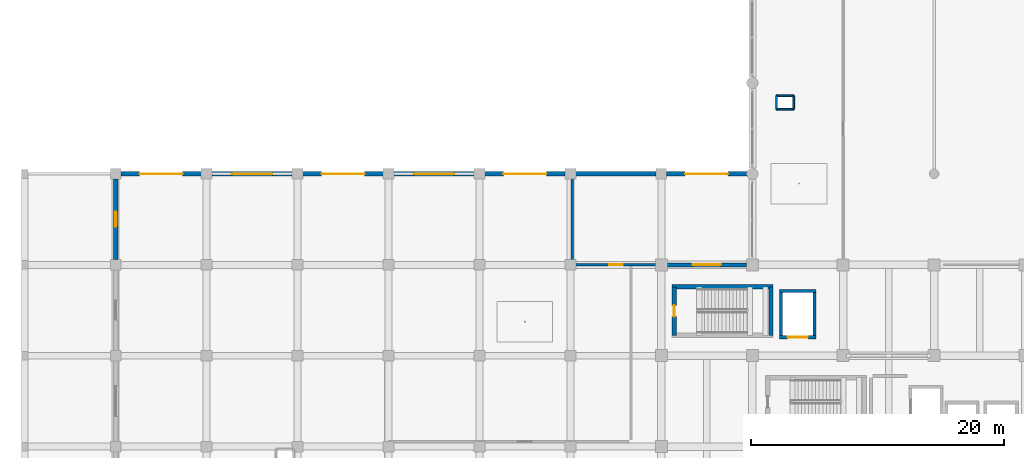
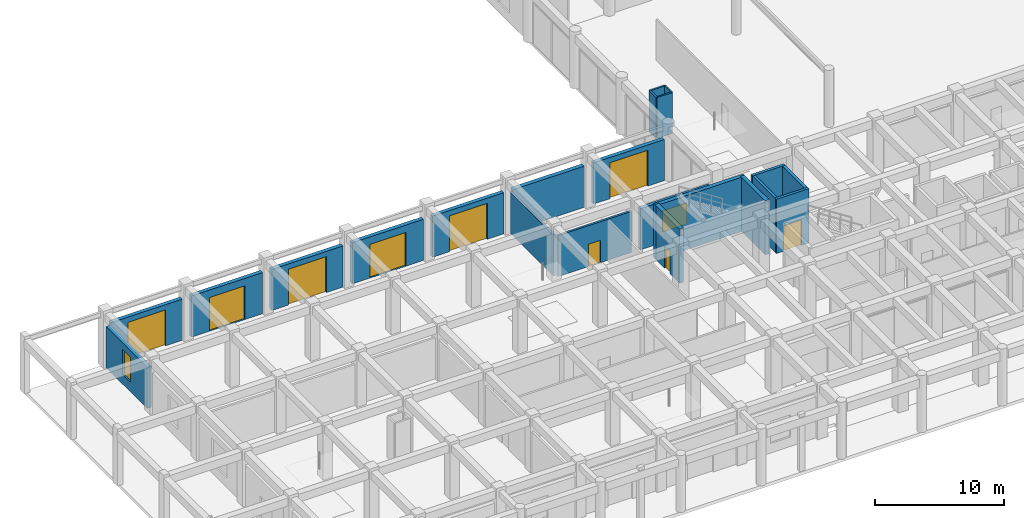
# One storey, part 26 of 56: 22 walls, 9 doors, 2 windows, 11 openings.
"""IFC4 building model written with IfcOpenShell, lengths in metres."""

from ifc_helpers import new_model, si_unit, direction, frame, frame_2d, origin, place, context, subcontext, project, spatial, rectangle, extrude, material, layer, layer_set, type_object, element, fill, save


model = new_model("IFC4")

# Units and contexts
model_context = context("Model", 3, precision=1e-05, world=origin(), true_north=direction((0.0, 1.0)))
body_context = subcontext(model_context, "Body", "Model", "MODEL_VIEW")
ifc_project = project(units=[si_unit("LENGTHUNIT", "METRE"), si_unit("AREAUNIT", "SQUARE_METRE"), si_unit("VOLUMEUNIT", "CUBIC_METRE"), si_unit("PLANEANGLEUNIT", "RADIAN"), si_unit("MASSUNIT", "GRAM", prefix="KILO")], contexts=[model_context])

# Site, building, storey
site_placement = place(None, origin())
site = spatial("IfcSite", under=ifc_project, at=site_placement, CompositionType="ELEMENT")
building_placement = place(site_placement, origin())
building = spatial("IfcBuilding", under=site, at=building_placement, Name="Kazehaya Institute of Natural Sciences", CompositionType="ELEMENT")
storey_placement = place(building_placement, origin())
storey = spatial("IfcBuildingStorey", under=building, at=storey_placement, Name="L00", CompositionType="ELEMENT", Elevation=0.0)

# Wall
ifc_material_1 = material(Name="Concrete Fc42", Category="concrete")
ifc_layer_1 = layer(ifc_material_1, 0.35009765625, Name="Concrete Fc42", Category="concrete")
ifc_layer_set_1 = layer_set([ifc_layer_1], Name="Concrete Fc42")
wall_type_1 = type_object("IfcWallType", Name="WL-CORE-350", PredefinedType="SHEAR", material=ifc_layer_set_1)
wall_1_placement = place(storey_placement, frame((55.445068359375, 33.860107421875, 0.0), z_axis=(0.0, 0.0, 1.0), x_axis=(1.0, 0.0, 0.0)))
element("IfcWall", 1, at=wall_1_placement, inside=storey, type_object=wall_type_1, Name="L00 ST-4 core wall N", PredefinedType="SHEAR", context=body_context, shape_type="SweptSolid", body=[
    extrude(rectangle(XDim=8.010009765625, YDim=0.35009765625, at=frame_2d((4.0048828125, 0.0))), origin(), (0.0, 0.0, 1.0), 5.1298828125),
])

# Wall, opening, door
wall_2_placement = place(storey_placement, frame((55.6201171875, 30.02001953125, 0.0), z_axis=(0.0, 0.0, 1.0), x_axis=(0.0, 1.0, 0.0)))
wall_2 = element("IfcWall", 2, at=wall_2_placement, inside=storey, type_object=wall_type_1, Name="L00 ST-4 core wall W", PredefinedType="SHEAR", context=body_context, shape_type="SweptSolid", body=[
    extrude(rectangle(XDim=3.840087890625, YDim=0.35009765625, at=frame_2d((1.919921875, 0.0))), origin(), (0.0, 0.0, 1.0), 5.1298828125),
])
opening_1_placement = place(wall_2_placement, frame((1.469970703125, 0.0, 0.0)))
opening_1 = element("IfcOpeningElement", 3, at=opening_1_placement, cuts=wall_2, Name="Opening D-ST-031", PredefinedType="OPENING", context=body_context, shape_type="SweptSolid", body=[
    extrude(rectangle(XDim=0.89990234375, YDim=2.1201171875, at=frame_2d((0.449951171875, 1.06005859375))), frame((0.0, 0.18505859375, 0.0), z_axis=(0.0, -1.0, 0.0), x_axis=(1.0, 0.0, 0.0)), (0.0, 0.0, 1.0), 0.3701171875),
])
ifc_material_2 = material(Name="Fire-rated steel acoustic door", Category="steel")
door_type_1 = type_object("IfcDoorType", Name="DT-FD-02", OperationType="NOTDEFINED", PredefinedType="DOOR", material=ifc_material_2)
door_1_placement = place(opening_1_placement, origin())
door_1 = element("IfcDoor", 4, at=door_1_placement, inside=storey, type_object=door_type_1, Name="L00 ST-4 stair enclosure door D-ST-031", OperationType="SINGLE_SWING_LEFT", OverallHeight=2.1201171875, OverallWidth=0.89990234375, PredefinedType="DOOR", context=body_context, shape_type="SweptSolid", body=[
    extrude(rectangle(XDim=0.89990234375, YDim=2.1201171875, at=frame_2d((0.449951171875, 1.06005859375))), frame((0.0, 0.02490234375, 0.0), z_axis=(0.0, -1.0, 0.0), x_axis=(1.0, 0.0, 0.0)), (0.0, 0.0, 1.0), 0.050048828125),
])
fill(opening_1, door_1)

# Wall
wall_3_placement = place(storey_placement, frame((63.280029296875, 33.860107421875, 0.0), z_axis=(0.0, 0.0, 1.0), x_axis=(0.0, -1.0, 0.0)))
element("IfcWall", 5, at=wall_3_placement, inside=storey, type_object=wall_type_1, Name="L00 ST-4 core wall E", PredefinedType="SHEAR", context=body_context, shape_type="SweptSolid", body=[
    extrude(rectangle(XDim=3.840087890625, YDim=0.35009765625, at=frame_2d((1.919921875, 0.0))), origin(), (0.0, 0.0, 1.0), 5.1298828125),
])

# Wall, opening, window
ifc_material_3 = material(Name="Precast concrete Fc36", Category="concrete")
ifc_layer_2 = layer(ifc_material_3, 0.31005859375, Name="Precast concrete Fc36", Category="concrete")
ifc_layer_set_2 = layer_set([ifc_layer_2], Name="Precast concrete Fc36")
wall_type_2 = type_object("IfcWallType", Name="WL-EXT-310", PredefinedType="SOLIDWALL", material=ifc_layer_set_2)
wall_4_placement = place(storey_placement, frame((55.06005859375, 35.60009765625, 0.0), z_axis=(0.0, 0.0, 1.0), x_axis=(1.0, 0.0, 0.0)))
wall_4 = element("IfcWall", 6, at=wall_4_placement, inside=storey, type_object=wall_type_2, Name="L00 exterior wall EW-L00-0120", PredefinedType="SOLIDWALL", context=body_context, shape_type="SweptSolid", body=[
    extrude(rectangle(XDim=6.280029296875, YDim=0.31005859375, at=frame_2d((3.14013671875, 0.0))), origin(), (0.0, 0.0, 1.0), 3.89990234375),
])
opening_2_placement = place(wall_4_placement, frame((2.0400390625, 0.0, 0.89990234375)))
opening_2 = element("IfcOpeningElement", 7, at=opening_2_placement, cuts=wall_4, Name="Opening W20", PredefinedType="OPENING", context=body_context, shape_type="SweptSolid", body=[
    extrude(rectangle(XDim=2.199951171875, YDim=2.0, at=frame_2d((1.10009765625, 1.0))), frame((0.0, 0.1650390625, 0.0), z_axis=(0.0, -1.0, 0.0), x_axis=(1.0, 0.0, 0.0)), (0.0, 0.0, 1.0), 0.330078125),
])
ifc_material_4 = material(Name="Low-E double-glazed aluminium window", Category="aluminium")
window_type_1 = type_object("IfcWindowType", Name="WN-20", PartitioningType="DOUBLE_PANEL_VERTICAL", PredefinedType="WINDOW", material=ifc_material_4)
window_1_placement = place(opening_2_placement, origin())
window_1 = element("IfcWindow", 8, at=window_1_placement, inside=storey, type_object=window_type_1, Name="L00 facade window 0023", OverallHeight=2.0, OverallWidth=2.199951171875, PartitioningType="DOUBLE_PANEL_VERTICAL", PredefinedType="WINDOW", context=body_context, shape_type="SweptSolid", body=[
    extrude(rectangle(XDim=2.199951171875, YDim=2.0, at=frame_2d((1.10009765625, 1.0))), frame((0.0, 0.030029296875, 0.0), z_axis=(0.0, -1.0, 0.0), x_axis=(1.0, 0.0, 0.0)), (0.0, 0.0, 1.0), 0.06005859375),
])
fill(opening_2, window_1)

# Wall, opening, door
ifc_layer_3 = layer(ifc_material_3, 0.340087890625, Name="Precast concrete Fc36", Category="concrete")
ifc_layer_set_3 = layer_set([ifc_layer_3], Name="Precast concrete Fc36")
wall_type_3 = type_object("IfcWallType", Name="WL-EXT-340", PredefinedType="SOLIDWALL", material=ifc_layer_set_3)
wall_5_placement = place(storey_placement, frame((11.81005859375, 42.800048828125, 0.0), z_axis=(0.0, 0.0, 1.0), x_axis=(1.0, 0.0, 0.0)))
wall_5 = element("IfcWall", 9, at=wall_5_placement, inside=storey, type_object=wall_type_3, Name="L00 exterior wall EW-L00-0088", PredefinedType="SOLIDWALL", context=body_context, shape_type="SweptSolid", body=[
    extrude(rectangle(XDim=6.3798828125, YDim=0.340087890625, at=frame_2d((3.18994140625, 0.0))), origin(), (0.0, 0.0, 1.0), 3.89990234375),
])
opening_3_placement = place(wall_5_placement, frame((1.489990234375, 0.0, 0.0)))
opening_3 = element("IfcOpeningElement", 10, at=opening_3_placement, cuts=wall_5, Name="Opening GD-02", PredefinedType="OPENING", context=body_context, shape_type="SweptSolid", body=[
    extrude(rectangle(XDim=3.39990234375, YDim=3.39990234375, at=frame_2d((1.699951171875, 1.699951171875))), frame((0.0, 0.179931640625, 0.0), z_axis=(0.0, -1.0, 0.0), x_axis=(1.0, 0.0, 0.0)), (0.0, 0.0, 1.0), 0.360107421875),
])
ifc_material_5 = material(Name="Insulated bronze-clad steel door", Category="steel")
door_type_2 = type_object("IfcDoorType", Name="DT-GATE-3400x3400", OperationType="ROLLINGUP", PredefinedType="GATE", material=ifc_material_5)
door_2_placement = place(opening_3_placement, origin())
door_2 = element("IfcDoor", 11, at=door_2_placement, inside=storey, type_object=door_type_2, Name="L00 exterior door GD-02", OperationType="ROLLINGUP", OverallHeight=3.39990234375, OverallWidth=3.39990234375, PredefinedType="GATE", context=body_context, shape_type="SweptSolid", body=[
    extrude(rectangle(XDim=3.39990234375, YDim=3.39990234375, at=frame_2d((1.699951171875, 1.699951171875))), frame((0.0, 0.02490234375, 0.0), z_axis=(0.0, -1.0, 0.0), x_axis=(1.0, 0.0, 0.0)), (0.0, 0.0, 1.0), 0.050048828125),
])
fill(opening_3, door_2)

wall_6_placement = place(storey_placement, frame((19.010009765625, 42.800048828125, 0.0), z_axis=(0.0, 0.0, 1.0), x_axis=(1.0, 0.0, 0.0)))
wall_6 = element("IfcWall", 12, at=wall_6_placement, inside=storey, type_object=wall_type_3, Name="L00 exterior wall EW-L00-0089", PredefinedType="SOLIDWALL", context=body_context, shape_type="SweptSolid", body=[
    extrude(rectangle(XDim=6.3798828125, YDim=0.340087890625, at=frame_2d((3.18994140625, 0.0))), origin(), (0.0, 0.0, 1.0), 3.89990234375),
])
opening_4_placement = place(wall_6_placement, frame((1.590087890625, 0.0, 0.0)))
opening_4 = element("IfcOpeningElement", 13, at=opening_4_placement, cuts=wall_6, Name="Opening GD-03", PredefinedType="OPENING", context=body_context, shape_type="SweptSolid", body=[
    extrude(rectangle(XDim=3.199951171875, YDim=3.199951171875, at=frame_2d((1.60009765625, 1.60009765625))), frame((0.0, 0.179931640625, 0.0), z_axis=(0.0, -1.0, 0.0), x_axis=(1.0, 0.0, 0.0)), (0.0, 0.0, 1.0), 0.360107421875),
])
door_type_3 = type_object("IfcDoorType", Name="DT-GATE-3200x3200", OperationType="ROLLINGUP", PredefinedType="GATE", material=ifc_material_5)
door_3_placement = place(opening_4_placement, origin())
door_3 = element("IfcDoor", 14, at=door_3_placement, inside=storey, type_object=door_type_3, Name="L00 exterior door GD-03", OperationType="ROLLINGUP", OverallHeight=3.199951171875, OverallWidth=3.199951171875, PredefinedType="GATE", context=body_context, shape_type="SweptSolid", body=[
    extrude(rectangle(XDim=3.199951171875, YDim=3.199951171875, at=frame_2d((1.60009765625, 1.60009765625))), frame((0.0, 0.02490234375, 0.0), z_axis=(0.0, -1.0, 0.0), x_axis=(1.0, 0.0, 0.0)), (0.0, 0.0, 1.0), 0.050048828125),
])
fill(opening_4, door_3)

wall_7_placement = place(storey_placement, frame((26.2099609375, 42.800048828125, 0.0), z_axis=(0.0, 0.0, 1.0), x_axis=(1.0, 0.0, 0.0)))
wall_7 = element("IfcWall", 15, at=wall_7_placement, inside=storey, type_object=wall_type_3, Name="L00 exterior wall EW-L00-0090", PredefinedType="SOLIDWALL", context=body_context, shape_type="SweptSolid", body=[
    extrude(rectangle(XDim=6.380126953125, YDim=0.340087890625, at=frame_2d((3.18994140625, 0.0))), origin(), (0.0, 0.0, 1.0), 3.89990234375),
])
opening_5_placement = place(wall_7_placement, frame((1.489990234375, 0.0, 0.0)))
opening_5 = element("IfcOpeningElement", 16, at=opening_5_placement, cuts=wall_7, Name="Opening GD-04", PredefinedType="OPENING", context=body_context, shape_type="SweptSolid", body=[
    extrude(rectangle(XDim=3.39990234375, YDim=3.39990234375, at=frame_2d((1.699951171875, 1.699951171875))), frame((0.0, 0.179931640625, 0.0), z_axis=(0.0, -1.0, 0.0), x_axis=(1.0, 0.0, 0.0)), (0.0, 0.0, 1.0), 0.360107421875),
])
door_4_placement = place(opening_5_placement, origin())
door_4 = element("IfcDoor", 17, at=door_4_placement, inside=storey, type_object=door_type_2, Name="L00 exterior door GD-04", OperationType="ROLLINGUP", OverallHeight=3.39990234375, OverallWidth=3.39990234375, PredefinedType="GATE", context=body_context, shape_type="SweptSolid", body=[
    extrude(rectangle(XDim=3.39990234375, YDim=3.39990234375, at=frame_2d((1.699951171875, 1.699951171875))), frame((0.0, 0.02490234375, 0.0), z_axis=(0.0, -1.0, 0.0), x_axis=(1.0, 0.0, 0.0)), (0.0, 0.0, 1.0), 0.050048828125),
])
fill(opening_5, door_4)

wall_8_placement = place(storey_placement, frame((33.409912109375, 42.800048828125, 0.0), z_axis=(0.0, 0.0, 1.0), x_axis=(1.0, 0.0, 0.0)))
wall_8 = element("IfcWall", 18, at=wall_8_placement, inside=storey, type_object=wall_type_3, Name="L00 exterior wall EW-L00-0091", PredefinedType="SOLIDWALL", context=body_context, shape_type="SweptSolid", body=[
    extrude(rectangle(XDim=6.380126953125, YDim=0.340087890625, at=frame_2d((3.18994140625, 0.0))), origin(), (0.0, 0.0, 1.0), 3.89990234375),
])
opening_6_placement = place(wall_8_placement, frame((1.590087890625, 0.0, 0.0)))
opening_6 = element("IfcOpeningElement", 19, at=opening_6_placement, cuts=wall_8, Name="Opening GD-05", PredefinedType="OPENING", context=body_context, shape_type="SweptSolid", body=[
    extrude(rectangle(XDim=3.199951171875, YDim=3.199951171875, at=frame_2d((1.60009765625, 1.60009765625))), frame((0.0, 0.179931640625, 0.0), z_axis=(0.0, -1.0, 0.0), x_axis=(1.0, 0.0, 0.0)), (0.0, 0.0, 1.0), 0.360107421875),
])
door_5_placement = place(opening_6_placement, origin())
door_5 = element("IfcDoor", 20, at=door_5_placement, inside=storey, type_object=door_type_3, Name="L00 exterior door GD-05", OperationType="ROLLINGUP", OverallHeight=3.199951171875, OverallWidth=3.199951171875, PredefinedType="GATE", context=body_context, shape_type="SweptSolid", body=[
    extrude(rectangle(XDim=3.199951171875, YDim=3.199951171875, at=frame_2d((1.60009765625, 1.60009765625))), frame((0.0, 0.02490234375, 0.0), z_axis=(0.0, -1.0, 0.0), x_axis=(1.0, 0.0, 0.0)), (0.0, 0.0, 1.0), 0.050048828125),
])
fill(opening_6, door_5)

wall_9_placement = place(storey_placement, frame((40.610107421875, 42.800048828125, 0.0), z_axis=(0.0, 0.0, 1.0), x_axis=(1.0, 0.0, 0.0)))
wall_9 = element("IfcWall", 21, at=wall_9_placement, inside=storey, type_object=wall_type_3, Name="L00 exterior wall EW-L00-0092", PredefinedType="SOLIDWALL", context=body_context, shape_type="SweptSolid", body=[
    extrude(rectangle(XDim=6.3798828125, YDim=0.340087890625, at=frame_2d((3.18994140625, 0.0))), origin(), (0.0, 0.0, 1.0), 3.89990234375),
])
opening_7_placement = place(wall_9_placement, frame((1.489990234375, 0.0, 0.0)))
opening_7 = element("IfcOpeningElement", 22, at=opening_7_placement, cuts=wall_9, Name="Opening GD-06", PredefinedType="OPENING", context=body_context, shape_type="SweptSolid", body=[
    extrude(rectangle(XDim=3.39990234375, YDim=3.39990234375, at=frame_2d((1.699951171875, 1.699951171875))), frame((0.0, 0.179931640625, 0.0), z_axis=(0.0, -1.0, 0.0), x_axis=(1.0, 0.0, 0.0)), (0.0, 0.0, 1.0), 0.360107421875),
])
door_6_placement = place(opening_7_placement, origin())
door_6 = element("IfcDoor", 23, at=door_6_placement, inside=storey, type_object=door_type_2, Name="L00 exterior door GD-06", OperationType="ROLLINGUP", OverallHeight=3.39990234375, OverallWidth=3.39990234375, PredefinedType="GATE", context=body_context, shape_type="SweptSolid", body=[
    extrude(rectangle(XDim=3.39990234375, YDim=3.39990234375, at=frame_2d((1.699951171875, 1.699951171875))), frame((0.0, 0.02490234375, 0.0), z_axis=(0.0, -1.0, 0.0), x_axis=(1.0, 0.0, 0.0)), (0.0, 0.0, 1.0), 0.050048828125),
])
fill(opening_7, door_6)

wall_10_placement = place(storey_placement, frame((55.010009765625, 42.800048828125, 0.0), z_axis=(0.0, 0.0, 1.0), x_axis=(1.0, 0.0, 0.0)))
wall_10 = element("IfcWall", 24, at=wall_10_placement, inside=storey, type_object=wall_type_3, Name="L00 exterior wall EW-L00-0094", PredefinedType="SOLIDWALL", context=body_context, shape_type="SweptSolid", body=[
    extrude(rectangle(XDim=6.35498046875, YDim=0.340087890625, at=frame_2d((3.177490234375, 0.0))), origin(), (0.0, 0.0, 1.0), 3.89990234375),
])
opening_8_placement = place(wall_10_placement, frame((1.4775390625, 0.0, 0.0)))
opening_8 = element("IfcOpeningElement", 25, at=opening_8_placement, cuts=wall_10, Name="Opening GD-08", PredefinedType="OPENING", context=body_context, shape_type="SweptSolid", body=[
    extrude(rectangle(XDim=3.39990234375, YDim=3.39990234375, at=frame_2d((1.699951171875, 1.699951171875))), frame((0.0, 0.179931640625, 0.0), z_axis=(0.0, -1.0, 0.0), x_axis=(1.0, 0.0, 0.0)), (0.0, 0.0, 1.0), 0.360107421875),
])
door_7_placement = place(opening_8_placement, origin())
door_7 = element("IfcDoor", 26, at=door_7_placement, inside=storey, type_object=door_type_2, Name="L00 exterior door GD-08", OperationType="ROLLINGUP", OverallHeight=3.39990234375, OverallWidth=3.39990234375, PredefinedType="GATE", context=body_context, shape_type="SweptSolid", body=[
    extrude(rectangle(XDim=3.39990234375, YDim=3.39990234375, at=frame_2d((1.699951171875, 1.699951171875))), frame((0.0, 0.02490234375, 0.0), z_axis=(0.0, -1.0, 0.0), x_axis=(1.0, 0.0, 0.0)), (0.0, 0.0, 1.0), 0.050048828125),
])
fill(opening_8, door_7)

# Wall, opening, window
ifc_layer_4 = layer(ifc_material_3, 0.3701171875, Name="Precast concrete Fc36", Category="concrete")
ifc_layer_set_4 = layer_set([ifc_layer_4], Name="Precast concrete Fc36")
wall_type_4 = type_object("IfcWallType", Name="WL-EXT-370", PredefinedType="SOLIDWALL", material=ifc_layer_set_4)
wall_11_placement = place(storey_placement, frame((11.39990234375, 36.010009765625, 0.0), z_axis=(0.0, 0.0, 1.0), x_axis=(0.0, 1.0, 0.0)))
wall_11 = element("IfcWall", 27, at=wall_11_placement, inside=storey, type_object=wall_type_4, Name="L00 exterior wall EW-L00-0081", PredefinedType="SOLIDWALL", context=body_context, shape_type="SweptSolid", body=[
    extrude(rectangle(XDim=6.3798828125, YDim=0.3701171875, at=frame_2d((3.18994140625, 0.0))), origin(), (0.0, 0.0, 1.0), 3.89990234375),
])
opening_9_placement = place(wall_11_placement, frame((2.590087890625, 0.0, 0.89990234375)))
opening_9 = element("IfcOpeningElement", 28, at=opening_9_placement, cuts=wall_11, Name="Opening W05", PredefinedType="OPENING", context=body_context, shape_type="SweptSolid", body=[
    extrude(rectangle(XDim=1.199951171875, YDim=2.39990234375, at=frame_2d((0.60009765625, 1.199951171875))), frame((0.0, 0.195068359375, 0.0), z_axis=(0.0, -1.0, 0.0), x_axis=(1.0, 0.0, 0.0)), (0.0, 0.0, 1.0), 0.39013671875),
])
window_type_2 = type_object("IfcWindowType", Name="WN-05", PartitioningType="SINGLE_PANEL", PredefinedType="WINDOW", material=ifc_material_4)
window_2_placement = place(opening_9_placement, origin())
window_2 = element("IfcWindow", 29, at=window_2_placement, inside=storey, type_object=window_type_2, Name="L00 facade window 0004", OverallHeight=2.39990234375, OverallWidth=1.199951171875, PartitioningType="SINGLE_PANEL", PredefinedType="WINDOW", context=body_context, shape_type="SweptSolid", body=[
    extrude(rectangle(XDim=1.199951171875, YDim=2.39990234375, at=frame_2d((0.60009765625, 1.199951171875))), frame((0.0, 0.030029296875, 0.0), z_axis=(0.0, -1.0, 0.0), x_axis=(1.0, 0.0, 0.0)), (0.0, 0.0, 1.0), 0.06005859375),
])
fill(opening_9, window_2)

# Wall
wall_12_placement = place(storey_placement, frame((47.81005859375, 42.800048828125, 0.0), z_axis=(0.0, 0.0, 1.0), x_axis=(1.0, 0.0, 0.0)))
element("IfcWall", 30, at=wall_12_placement, inside=storey, type_object=wall_type_4, Name="L00 exterior wall EW-L00-0093", PredefinedType="SOLIDWALL", context=body_context, shape_type="SweptSolid", body=[
    extrude(rectangle(XDim=6.3798828125, YDim=0.3701171875, at=frame_2d((3.18994140625, 0.0))), origin(), (0.0, 0.0, 1.0), 3.89990234375),
])

# Wall, opening, door
ifc_material_6 = material(Name="Gypsum acoustic lab partition", Category="gypsum")
ifc_layer_5 = layer(ifc_material_6, 0.18994140625, Name="Gypsum acoustic lab partition", Category="gypsum")
ifc_layer_set_5 = layer_set([ifc_layer_5], Name="Gypsum acoustic lab partition")
wall_type_5 = type_object("IfcWallType", Name="WL-PART-190", PredefinedType="PARTITIONING", material=ifc_layer_set_5)
wall_13_placement = place(storey_placement, frame((54.300048828125, 35.60009765625, 0.0), z_axis=(0.0, 0.0, 1.0), x_axis=(-1.0, 0.0, 0.0)))
wall_13 = element("IfcWall", 31, at=wall_13_placement, inside=storey, type_object=wall_type_5, Name="L00 Indoor Hazardous Materials Store partition IW-L00-0055", PredefinedType="PARTITIONING", context=body_context, shape_type="SweptSolid", body=[
    extrude(rectangle(XDim=6.60009765625, YDim=0.18994140625, at=frame_2d((3.300048828125, 0.0))), origin(), (0.0, 0.0, 1.0), 3.8798828125),
])
opening_10_placement = place(wall_13_placement, frame((2.77001953125, 0.0, 0.0)))
opening_10 = element("IfcOpeningElement", 32, at=opening_10_placement, cuts=wall_13, Name="Opening D-L00-0060", PredefinedType="OPENING", context=body_context, shape_type="SweptSolid", body=[
    extrude(rectangle(XDim=1.06005859375, YDim=2.1201171875, at=frame_2d((0.530029296875, 1.06005859375))), frame((0.0, 0.10498046875, 0.0), z_axis=(0.0, -1.0, 0.0), x_axis=(1.0, 0.0, 0.0)), (0.0, 0.0, 1.0), 0.2099609375),
])
door_type_4 = type_object("IfcDoorType", Name="DT-FD-14", OperationType="NOTDEFINED", PredefinedType="DOOR", material=ifc_material_2)
door_8_placement = place(opening_10_placement, origin())
door_8 = element("IfcDoor", 33, at=door_8_placement, inside=storey, type_object=door_type_4, Name="L00 Indoor Hazardous Materials Store door D-L00-0060", OperationType="SINGLE_SWING_RIGHT", OverallHeight=2.1201171875, OverallWidth=1.06005859375, PredefinedType="DOOR", context=body_context, shape_type="SweptSolid", body=[
    extrude(rectangle(XDim=1.06005859375, YDim=2.1201171875, at=frame_2d((0.530029296875, 1.06005859375))), frame((0.0, 0.02490234375, 0.0), z_axis=(0.0, -1.0, 0.0), x_axis=(1.0, 0.0, 0.0)), (0.0, 0.0, 1.0), 0.050048828125),
])
fill(opening_10, door_8)

# Walls
wall_14_placement = place(storey_placement, frame((47.550048828125, 35.75, 0.0), z_axis=(0.0, 0.0, 1.0), x_axis=(0.0, 1.0, 0.0)))
element("IfcWall", 34, at=wall_14_placement, inside=storey, type_object=wall_type_5, Name="L00 Indoor Hazardous Materials Store partition IW-L00-0056", PredefinedType="PARTITIONING", context=body_context, shape_type="SweptSolid", body=[
    extrude(rectangle(XDim=6.75, YDim=0.18994140625, at=frame_2d((3.375, 0.0))), origin(), (0.0, 0.0, 1.0), 3.8798828125),
])
ifc_material_7 = material(Name="Concrete Fc36", Category="concrete")
ifc_layer_6 = layer(ifc_material_7, 0.14990234375, Name="Concrete Fc36", Category="concrete")
ifc_layer_set_6 = layer_set([ifc_layer_6], Name="Concrete Fc36")
wall_type_6 = type_object("IfcWallType", Name="WL-RISER-150", PredefinedType="PARTITIONING", material=ifc_layer_set_6)
for number, where, z_axis, x_axis, name in (
    (35, (65.0849609375, 47.9150390625, 0.0), (0.0, 0.0, 1.0), (-1.0, 0.0, 0.0), "L00 fume exhaust riser shaft wall 13"),
    (36, (63.715087890625, 48.985107421875, 0.0), (0.0, 0.0, 1.0), (1.0, 0.0, 0.0), "L00 fume exhaust riser shaft wall 13"),
):
    element("IfcWall", number, at=place(storey_placement, frame(where, z_axis=z_axis, x_axis=x_axis)), inside=storey, type_object=wall_type_6, Name=name, PredefinedType="PARTITIONING", context=body_context, shape_type="SweptSolid", body=[
        extrude(rectangle(XDim=1.369873046875, YDim=0.14990234375, at=frame_2d((0.68505859375, 0.0))), origin(), (0.0, 0.0, 1.0), 3.8798828125),
    ])
for number, where, z_axis, x_axis, name in (
    (37, (63.715087890625, 47.9150390625, 0.0), (0.0, 0.0, 1.0), (0.0, 1.0, 0.0), "L00 fume exhaust riser shaft wall 13"),
    (38, (65.0849609375, 48.985107421875, 0.0), (0.0, 0.0, 1.0), (0.0, -1.0, 0.0), "L00 fume exhaust riser shaft wall 13"),
):
    element("IfcWall", number, at=place(storey_placement, frame(where, z_axis=z_axis, x_axis=x_axis)), inside=storey, type_object=wall_type_6, Name=name, PredefinedType="PARTITIONING", context=body_context, shape_type="SweptSolid", body=[
        extrude(rectangle(XDim=1.070068359375, YDim=0.14990234375, at=frame_2d((0.53515625, 0.0))), origin(), (0.0, 0.0, 1.0), 3.8798828125),
    ])

# Wall, opening, door
ifc_layer_7 = layer(ifc_material_1, 0.25, Name="Concrete Fc42", Category="concrete")
ifc_layer_set_7 = layer_set([ifc_layer_7], Name="Concrete Fc42")
wall_type_7 = type_object("IfcWallType", Name="WL-SHAFT-250", PredefinedType="SHEAR", material=ifc_layer_set_7)
wall_15_placement = place(storey_placement, frame((66.860107421875, 29.864990234375, 0.0), z_axis=(0.0, 0.0, 1.0), x_axis=(-1.0, 0.0, 0.0)))
wall_15 = element("IfcWall", 39, at=wall_15_placement, inside=storey, type_object=wall_type_7, Name="L00 EL06 lift shaft wall south", PredefinedType="SHEAR", context=body_context, shape_type="SweptSolid", body=[
    extrude(rectangle(XDim=2.920166015625, YDim=0.25, at=frame_2d((1.4599609375, 0.0))), origin(), (0.0, 0.0, 1.0), 5.1298828125),
])
opening_11_placement = place(wall_15_placement, frame((0.659912109375, 0.0, 0.0)))
opening_11 = element("IfcOpeningElement", 40, at=opening_11_placement, cuts=wall_15, Name="Opening LD-73", PredefinedType="OPENING", context=body_context, shape_type="SweptSolid", body=[
    extrude(rectangle(XDim=1.60009765625, YDim=2.39990234375, at=frame_2d((0.800048828125, 1.199951171875))), frame((0.0, 0.135009765625, 0.0), z_axis=(0.0, -1.0, 0.0), x_axis=(1.0, 0.0, 0.0)), (0.0, 0.0, 1.0), 0.27001953125),
])
ifc_material_8 = material(Name="Heavy-duty goods lift sliding landing door")
door_type_5 = type_object("IfcDoorType", Name="DT-LD-1600x2400", OperationType="SLIDING_TO_LEFT", PredefinedType="DOOR", material=ifc_material_8)
door_9_placement = place(opening_11_placement, origin())
door_9 = element("IfcDoor", 41, at=door_9_placement, inside=storey, type_object=door_type_5, Name="L00 EL06 sliding landing door LD-73", OperationType="SLIDING_TO_LEFT", OverallHeight=2.39990234375, OverallWidth=1.60009765625, PredefinedType="DOOR", context=body_context, shape_type="SweptSolid", body=[
    extrude(rectangle(XDim=1.60009765625, YDim=2.39990234375, at=frame_2d((0.800048828125, 1.199951171875))), frame((0.0, 0.02490234375, 0.0), z_axis=(0.0, -1.0, 0.0), x_axis=(1.0, 0.0, 0.0)), (0.0, 0.0, 1.0), 0.050048828125),
])
fill(opening_11, door_9)

# Walls
wall_16_placement = place(storey_placement, frame((63.93994140625, 33.534912109375, 0.0), z_axis=(0.0, 0.0, 1.0), x_axis=(1.0, 0.0, 0.0)))
element("IfcWall", 42, at=wall_16_placement, inside=storey, type_object=wall_type_7, Name="L00 EL06 lift shaft wall north", PredefinedType="SHEAR", context=body_context, shape_type="SweptSolid", body=[
    extrude(rectangle(XDim=2.920166015625, YDim=0.25, at=frame_2d((1.4599609375, 0.0))), origin(), (0.0, 0.0, 1.0), 5.1298828125),
])
for number, where, z_axis, x_axis, name in (
    (43, (64.06494140625, 29.864990234375, 0.0), (0.0, 0.0, 1.0), (0.0, 1.0, 0.0), "L00 EL06 lift shaft wall west"),
    (44, (66.735107421875, 33.534912109375, 0.0), (0.0, 0.0, 1.0), (0.0, -1.0, 0.0), "L00 EL06 lift shaft wall east"),
):
    element("IfcWall", number, at=place(storey_placement, frame(where, z_axis=z_axis, x_axis=x_axis)), inside=storey, type_object=wall_type_7, Name=name, PredefinedType="SHEAR", context=body_context, shape_type="SweptSolid", body=[
        extrude(rectangle(XDim=3.669921875, YDim=0.25, at=frame_2d((1.8349609375, 0.0))), origin(), (0.0, 0.0, 1.0), 5.1298828125),
    ])

save(model, "model.ifc")
